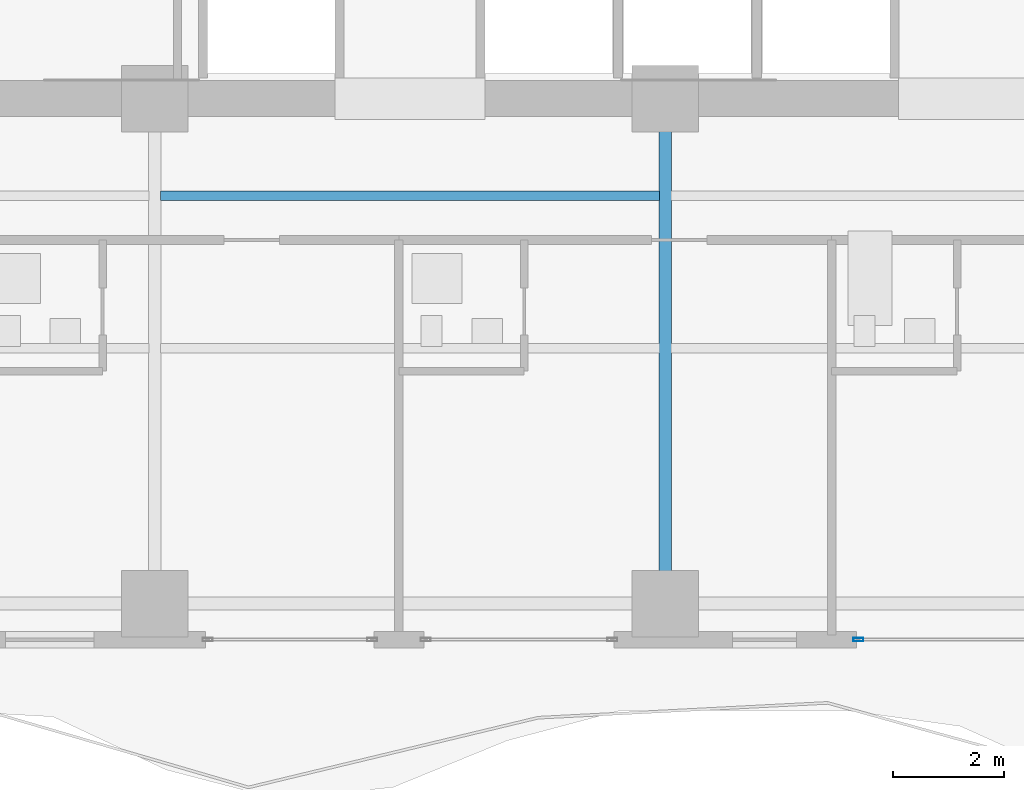
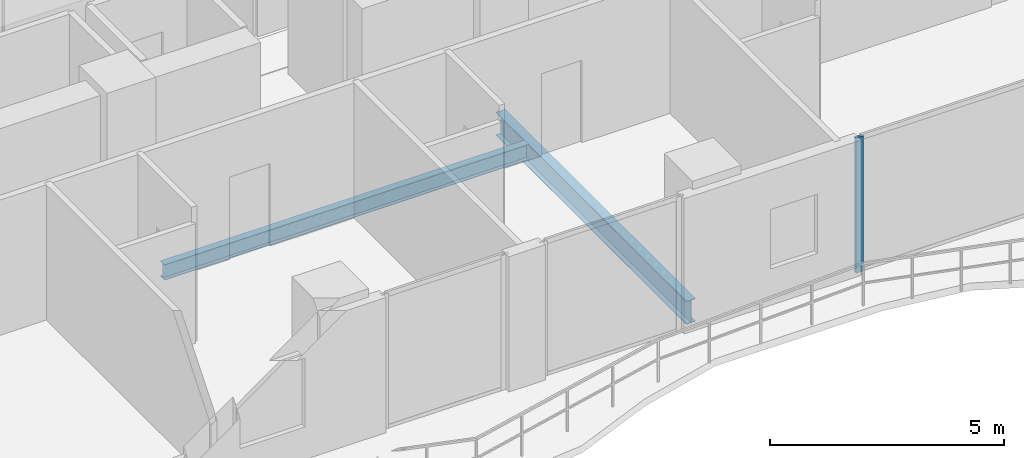
# One storey, part 7 of 32: 2 beams, 1 member, 1 element without a shape of its own.
"""IFC4 building model written with IfcOpenShell, lengths in metres."""

import ifcopenshell
import ifcopenshell.guid

model = None  # the IFC model being written
_history = None  # IfcOwnerHistory: only IFC2X3 demands one
_inside = {}  # id of a spatial element -> (the spatial element, [elements in it])
_under = {}  # id of a project, library or spatial element -> (it, [spatial elements below it])
_declared = {}  # id of a project -> (the project, [libraries it declares])
_typed = {}  # id of a type object -> (the type object, [elements of that type])
_made_of = {}  # id of a material, layer set ... -> (it, [elements and type objects made of it])


def new_model(schema):
    """Start an empty IFC model of exactly this schema.

    Asked for "IFC4X3", IfcOpenShell would pick the latest addendum, in which some entities
    have other attributes; the version numbers below select the first issue.
    IFC2X3 requires an IfcOwnerHistory on every rooted entity: one is made here for all.
    """
    global model, _history
    if schema == "IFC4X3":
        model = ifcopenshell.file(schema_version=(4, 3, 0, 0))
    else:
        model = ifcopenshell.file(schema=schema)
    _inside.clear()
    _under.clear()
    _declared.clear()
    _typed.clear()
    _made_of.clear()
    _history = None
    if model.schema == "IFC2X3":
        org = make("IfcOrganization", Name="unknown")
        user = make(
            "IfcPersonAndOrganization",
            ThePerson=make("IfcPerson", FamilyName="unknown"),
            TheOrganization=org,
        )
        app = make(
            "IfcApplication",
            ApplicationDeveloper=org,
            Version="unknown",
            ApplicationFullName="unknown",
            ApplicationIdentifier="unknown",
        )
        _history = make(
            "IfcOwnerHistory",
            OwningUser=user,
            OwningApplication=app,
            ChangeAction="ADDED",
            CreationDate=0,
        )
    return model


def make(cls, **values):
    """One entity of the class cls with the attributes given. An attribute that is None is left unset."""
    return model.create_entity(
        cls, **{name: value for name, value in values.items() if value is not None}
    )


def rooted(cls, **values):
    """An entity with a GlobalId (a new one), such as an element, a storey or a relation."""
    return make(cls, GlobalId=ifcopenshell.guid.new(), OwnerHistory=_history, **values)


def si_unit(unit_type, name, prefix=None):
    """IfcSIUnit, for example si_unit("LENGTHUNIT", "METRE", prefix="MILLI")."""
    return make("IfcSIUnit", UnitType=unit_type, Prefix=prefix, Name=name)


def assignment(units):
    """IfcUnitAssignment: the units of a project."""
    return None if units is None else make("IfcUnitAssignment", Units=units)


def point(xyz):
    """IfcCartesianPoint."""
    return None if xyz is None else make("IfcCartesianPoint", Coordinates=xyz)


def direction(xyz):
    """IfcDirection."""
    return None if xyz is None else make("IfcDirection", DirectionRatios=xyz)


def frame(location, z_axis=None, x_axis=None):
    """IfcAxis2Placement3D, a coordinate frame: its origin and axes. An axis left out is left unset."""
    return make(
        "IfcAxis2Placement3D",
        Location=point(location),
        Axis=direction(z_axis),
        RefDirection=direction(x_axis),
    )


def frame_2d(location, x_axis=None):
    """IfcAxis2Placement2D, a coordinate frame in the plane: its origin and x axis."""
    return make(
        "IfcAxis2Placement2D", Location=point(location), RefDirection=direction(x_axis)
    )


def origin():
    """The frame at (0, 0, 0) with its axes left unset."""
    return frame((0.0, 0.0, 0.0))


def origin_2d():
    """The frame at (0, 0) in the plane with its x axis left unset."""
    return frame_2d((0.0, 0.0))


def place(relative_to, where):
    """IfcLocalPlacement: puts the frame where relative to a parent placement (None: the world)."""
    return make(
        "IfcLocalPlacement", PlacementRelTo=relative_to, RelativePlacement=where
    )


def context(
    kind, dimensions, precision=None, world=None, true_north=None, identifier=None
):
    """IfcGeometricRepresentationContext, for example the 3D "Model" context."""
    return make(
        "IfcGeometricRepresentationContext",
        ContextIdentifier=identifier,
        ContextType=kind,
        CoordinateSpaceDimension=dimensions,
        Precision=precision,
        WorldCoordinateSystem=world,
        TrueNorth=true_north,
    )


def subcontext(parent, identifier, kind, view, scale=None):
    """IfcGeometricRepresentationSubContext, for example "Body" below "Model"."""
    return make(
        "IfcGeometricRepresentationSubContext",
        ContextIdentifier=identifier,
        ContextType=kind,
        ParentContext=parent,
        TargetScale=scale,
        TargetView=view,
    )


def project(units=None, contexts=None):
    """IfcProject with its units and contexts."""
    return rooted(
        "IfcProject",
        Name="project",
        RepresentationContexts=contexts,
        UnitsInContext=assignment(units),
    )


def spatial(cls, under=None, at=None, **own):
    """A site, building, storey or space (cls), placed at a placement, below another one or the project."""
    s = rooted(cls, ObjectPlacement=at, **own)
    if under is not None:
        _under.setdefault(under.id(), (under, []))[1].append(s)
    return s


def profile(cls, at=None, kind="AREA", **sizes):
    """A parametric profile (cls). Its sizes go by their IFC names, for example OverallWidth=200.0."""
    return make(cls, ProfileType=kind, Position=at, **sizes)


def hollow_rectangle(**sizes):
    """IfcRectangleHollowProfileDef."""
    return profile("IfcRectangleHollowProfileDef", **sizes)


def i_section(**sizes):
    """IfcIShapeProfileDef."""
    return profile("IfcIShapeProfileDef", **sizes)


def extrude(swept, where, along, depth):
    """IfcExtrudedAreaSolid: the profile swept, set in the frame where, extruded along a direction by depth."""
    return make(
        "IfcExtrudedAreaSolid",
        SweptArea=swept,
        Position=where,
        ExtrudedDirection=direction(along),
        Depth=depth,
    )


def shape(context_of_items, identifier, shape_type, items):
    """IfcShapeRepresentation: the items that make up one representation, for example the "Body"."""
    return make(
        "IfcShapeRepresentation",
        ContextOfItems=context_of_items,
        RepresentationIdentifier=identifier,
        RepresentationType=shape_type,
        Items=items,
    )


def material(Name=None, Category=None):
    """IfcMaterial."""
    return make("IfcMaterial", Name=Name, Category=Category)


def layer(
    of_material, thickness, ventilated=None, Name=None, Category=None, Priority=None
):
    """IfcMaterialLayer: one layer of a wall or slab, of a material (None: an air gap)."""
    return make(
        "IfcMaterialLayer",
        Material=of_material,
        LayerThickness=thickness,
        IsVentilated=ventilated,
        Name=Name,
        Category=Category,
        Priority=Priority,
    )


def layer_set(layers, Name=None):
    """IfcMaterialLayerSet."""
    return make("IfcMaterialLayerSet", MaterialLayers=layers, LayerSetName=Name)


def material_profile(
    of_material, cross_section, Name=None, Category=None, Priority=None
):
    """IfcMaterialProfile: a cross section and its material."""
    return make(
        "IfcMaterialProfile",
        Name=Name,
        Material=of_material,
        Profile=cross_section,
        Priority=Priority,
        Category=Category,
    )


def profile_set(profiles, Name=None, composite=None):
    """IfcMaterialProfileSet."""
    return make(
        "IfcMaterialProfileSet",
        Name=Name,
        MaterialProfiles=profiles,
        CompositeProfile=composite,
    )


def made_of(thing, what):
    """Note that an element or type object is made of a material, layer set ...; save() writes the relation."""
    if what is not None:
        _made_of.setdefault(what.id(), (what, []))[1].append(thing)
    return thing


def type_object(cls, material=None, **own):
    """A type object (cls), such as IfcWallType, which elements share."""
    return made_of(rooted(cls, **own), material)


def element(
    cls,
    number,
    at=None,
    inside=None,
    cuts=None,
    type_object=None,
    material=None,
    context=None,
    identifier="Body",
    shape_type=None,
    held_by="IfcProductDefinitionShape",
    body=None,
    shapes=None,
    **own,
):
    """One element of the class cls, such as IfcWall. Its Tag is "e" and its number.

    at: its placement. inside: the storey or other place that contains it. cuts: it is an
    opening in that element (IfcRelVoidsElement). A single representation is given by context,
    identifier, shape_type and body (its items); several are given by shapes. held_by: the class
    of the entity that holds the representations. save() writes the other relations.
    """
    e = rooted(cls, Tag="e%d" % number, ObjectPlacement=at, **own)
    if body is not None:
        shapes = [shape(context, identifier, shape_type, body)]
    if shapes is not None:
        e.Representation = make(held_by, Representations=shapes)
    if inside is not None:
        _inside.setdefault(inside.id(), (inside, []))[1].append(e)
    if cuts is not None:
        rooted(
            "IfcRelVoidsElement", RelatingBuildingElement=cuts, RelatedOpeningElement=e
        )
    if type_object is not None:
        _typed.setdefault(type_object.id(), (type_object, []))[1].append(e)
    return made_of(e, material)


def aggregate(whole, parts):
    """IfcRelAggregates: a whole, such as a stair, and the parts it consists of."""
    return rooted("IfcRelAggregates", RelatingObject=whole, RelatedObjects=parts)


def save(model, path):
    """Write the relations noted so far, then the file.

    IfcRelAggregates (storeys below a building ...), IfcRelContainedInSpatialStructure (elements
    in a storey), IfcRelDefinesByType, IfcRelAssociatesMaterial and IfcRelDeclares: one each for
    every whole, place, type object, material and project.
    """
    for whole, parts in _under.values():
        aggregate(whole, parts)
    for where, things in _inside.values():
        rooted(
            "IfcRelContainedInSpatialStructure",
            RelatedElements=things,
            RelatingStructure=where,
        )
    for kind, things in _typed.values():
        rooted("IfcRelDefinesByType", RelatedObjects=things, RelatingType=kind)
    for what, things in _made_of.values():
        rooted("IfcRelAssociatesMaterial", RelatedObjects=things, RelatingMaterial=what)
    for by, libraries in _declared.values():
        rooted("IfcRelDeclares", RelatingContext=by, RelatedDefinitions=libraries)
    model.write(path)


model = new_model("IFC4")

# Units and contexts
model_context = context("Model", 3, precision=1e-05, world=origin(), true_north=direction((0.0, 1.0)))
body_context = subcontext(model_context, "Body", "Model", "MODEL_VIEW")
ifc_project = project(units=[si_unit("LENGTHUNIT", "METRE"), si_unit("AREAUNIT", "SQUARE_METRE"), si_unit("VOLUMEUNIT", "CUBIC_METRE"), si_unit("PLANEANGLEUNIT", "RADIAN"), si_unit("MASSUNIT", "GRAM", prefix="KILO")], contexts=[model_context])

# Site, building, storey
site_placement = place(None, origin())
site = spatial("IfcSite", under=ifc_project, at=site_placement, CompositionType="ELEMENT")
building_placement = place(site_placement, origin())
building = spatial("IfcBuilding", under=site, at=building_placement, Name="Zuhayl Quay Hotel", CompositionType="ELEMENT")
storey_placement = place(building_placement, frame((0.0, 0.0, 203.64990234375)))
storey = spatial("IfcBuildingStorey", under=building, at=storey_placement, Name="L51", CompositionType="ELEMENT", Elevation=203.64990234375)

# Beams
ifc_material_1 = material(Name="Steel ASTM A992 Grade 50", Category="steel")
ifc_material_profile_1 = material_profile(ifc_material_1, i_section(OverallWidth=0.22802734375, OverallDepth=0.60693359375, WebThickness=0.01123046875, FlangeThickness=0.017333984375, at=origin_2d()), Name="W24X76")
ifc_profile_set_1 = profile_set([ifc_material_profile_1], Name="Steel ASTM A992 Grade 50")
beam_type_1 = type_object("IfcBeamType", Name="BM_B3_W24X76", PredefinedType="BEAM", material=ifc_profile_set_1)
beam_1_placement = place(storey_placement, frame((4.60009765625, -6.449951171875, -0.5234375), z_axis=(0.0, 1.0, 0.0), x_axis=(-1.0, 0.0, 0.0)))
element("IfcBeam", 1, at=beam_1_placement, inside=storey, type_object=beam_type_1, Name="L51 Floor Beam FG_S_L51_3", PredefinedType="BEAM", context=body_context, shape_type="SweptSolid", body=[
    extrude(i_section(OverallWidth=0.22802734375, OverallDepth=0.60693359375, WebThickness=0.01123046875, FlangeThickness=0.017333984375, at=origin_2d()), origin(), (0.0, 0.0, 1.0), 8.14990234375),
])
ifc_material_profile_2 = material_profile(ifc_material_1, i_section(OverallWidth=0.177978515625, OverallDepth=0.406005859375, WebThickness=0.0078125, FlangeThickness=0.0126953125, at=origin_2d()), Name="W16X40")
ifc_profile_set_2 = profile_set([ifc_material_profile_2], Name="Steel ASTM A992 Grade 50")
beam_type_2 = type_object("IfcBeamType", Name="BM_J2B_W16X40", PredefinedType="JOIST", material=ifc_profile_set_2)
beam_2_placement = place(storey_placement, frame((-4.493896484375, 0.39990234375, -0.4228515625), z_axis=(1.0, 0.0, 0.0), x_axis=(0.0, 1.0, 0.0)))
element("IfcBeam", 2, at=beam_2_placement, inside=storey, type_object=beam_type_2, Name="L51 Floor Beam FJ_L51_8_2", PredefinedType="JOIST", context=body_context, shape_type="SweptSolid", body=[
    extrude(i_section(OverallWidth=0.177978515625, OverallDepth=0.406005859375, WebThickness=0.0078125, FlangeThickness=0.0126953125, at=origin_2d()), origin(), (0.0, 0.0, 1.0), 8.98779296875),
])

# Curtain wall, member
ifc_material_2 = material(Name="Anodised Aluminium 6063-T6", Category="aluminium")
ifc_layer = layer(ifc_material_2, 0.175048828125, Name="Anodised Aluminium 6063-T6", Category="aluminium")
ifc_layer_set = layer_set([ifc_layer], Name="Anodised Aluminium 6063-T6")
curtain_wall_type = type_object("IfcCurtainWallType", Name="CW_SYS_Z3", PredefinedType="USERDEFINED", material=ifc_layer_set)
curtain_wall_placement = place(storey_placement, origin())
curtain_wall = element("IfcCurtainWall", 3, at=curtain_wall_placement, inside=storey, type_object=curtain_wall_type, Name="L51 Curtain Wall ENV_L51_S_CW2", ObjectType="UNITISED CURTAIN WALL", PredefinedType="USERDEFINED")
ifc_material_3 = material(Name="Black-anodised aluminium 6063-T6", Category="aluminium")
ifc_material_profile_3 = material_profile(ifc_material_3, hollow_rectangle(XDim=0.06494140625, YDim=0.179931640625, WallThickness=0.00341796875, at=origin_2d()), Name="ALU180X65")
ifc_profile_set_3 = profile_set([ifc_material_profile_3], Name="Black-anodised aluminium 6063-T6")
member_type = type_object("IfcMemberType", Name="MB_CW_MUL_180", PredefinedType="MULLION", material=ifc_profile_set_3)
member_placement = place(storey_placement, frame((8.08251953125, -7.60009765625, 0.0), z_axis=(0.0, 0.0, 1.0), x_axis=(0.0, -1.0, 0.0)))
member = element("IfcMember", 4, at=member_placement, type_object=member_type, Name="CW-Z3 mullion 2", PredefinedType="MULLION", context=body_context, shape_type="SweptSolid", body=[
    extrude(hollow_rectangle(XDim=0.06494140625, YDim=0.179931640625, WallThickness=0.00341796875, at=origin_2d()), origin(), (0.0, 0.0, 1.0), 3.530029296875),
])
aggregate(curtain_wall, [member])

save(model, "model.ifc")
